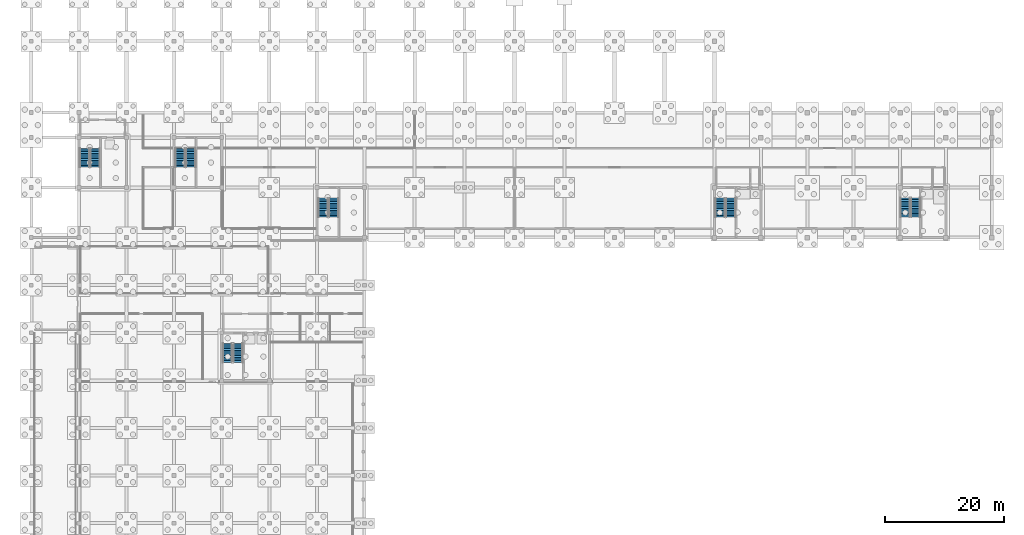
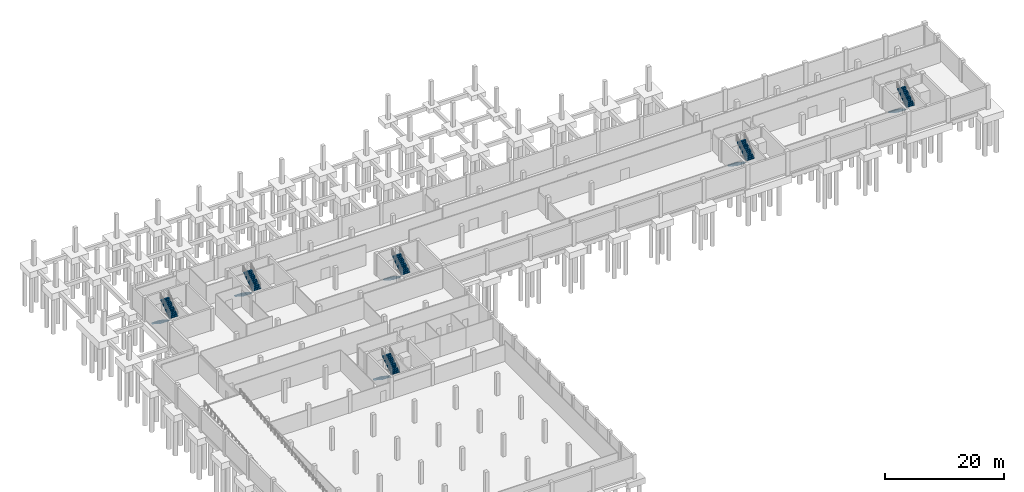
# One storey, part 15 of 22: 12 stair flights, 6 elements without a shape of their own.
"""IFC4 building model written with IfcOpenShell, lengths in metres."""

from ifc_helpers import new_model, si_unit, direction, frame, origin, place, context, subcontext, project, spatial, polyline, outline, extrude, material, type_object, element, aggregate, save


model = new_model("IFC4")

# Units and contexts
model_context = context("Model", 3, precision=1e-05, world=origin(), true_north=direction((0.0, 1.0)))
body_context = subcontext(model_context, "Body", "Model", "MODEL_VIEW")
ifc_project = project(units=[si_unit("LENGTHUNIT", "METRE"), si_unit("AREAUNIT", "SQUARE_METRE"), si_unit("VOLUMEUNIT", "CUBIC_METRE"), si_unit("PLANEANGLEUNIT", "RADIAN"), si_unit("MASSUNIT", "GRAM", prefix="KILO")], contexts=[model_context])

# Site, building, storey
site_placement = place(None, origin())
site = spatial("IfcSite", under=ifc_project, at=site_placement, CompositionType="ELEMENT")
building_placement = place(site_placement, origin())
building = spatial("IfcBuilding", under=site, at=building_placement, Name="Vharandega Faculty of Natural Sciences", CompositionType="ELEMENT")
storey_placement = place(building_placement, frame((0.0, 0.0, -4.5)))
storey = spatial("IfcBuildingStorey", under=building, at=storey_placement, Name="B01", CompositionType="ELEMENT", Elevation=-4.5)

# Stair, stair flights
ifc_material_1 = material(Name="Concrete C40/50", Category="concrete")
stair_type_1 = type_object("IfcStairType", Name="Escape Dog-Leg Stair W160 H450", PredefinedType="HALF_TURN_STAIR", material=ifc_material_1)
stair_1_placement = place(storey_placement, origin())
stair_1 = element("IfcStair", 1, at=stair_1_placement, inside=storey, type_object=stair_type_1, Name="B01 Escape Stair ST2", PredefinedType="HALF_TURN_STAIR")
ifc_material_2 = material(Name="Concrete C40/50", Category="concrete")
stair_flight_type_1 = type_object("IfcStairFlightType", Name="Precast Stair Flight W160 H450", PredefinedType="STRAIGHT", material=ifc_material_2)
stair_flight_1_placement = place(storey_placement, frame((146.860107421875, 70.659912109375, 0.0), z_axis=(0.0, 0.0, 1.0), x_axis=(0.0, -1.0, 0.0)))
stair_flight_1 = element("IfcStairFlight", 2, at=stair_flight_1_placement, type_object=stair_flight_type_1, Name="ST2 flight 1", NumberOfRisers=12, NumberOfTreads=11, PredefinedType="STRAIGHT", RiserHeight=0.1875, TreadLength=0.29, context=body_context, shape_type="SweptSolid", body=[
    extrude(outline(polyline([(0.0, 0.0), (0.0, 0.1875), (0.2900390625, 0.1875), (0.2900390625, 0.375), (0.580078125, 0.375), (0.580078125, 0.5625), (0.8701171875, 0.5625), (0.8701171875, 0.75), (1.159912109375, 0.75), (1.159912109375, 0.9375), (1.449951171875, 0.9375), (1.449951171875, 1.125), (1.739990234375, 1.125), (1.739990234375, 1.3125), (2.030029296875, 1.3125), (2.030029296875, 1.5), (2.320068359375, 1.5), (2.320068359375, 1.6875), (2.610107421875, 1.6875), (2.610107421875, 1.875), (2.89990234375, 1.875), (2.89990234375, 2.0625), (3.18994140625, 2.0625), (3.18994140625, 2.25), (3.18994140625, 1.884033203125), (0.276123046875, 0.0), (0.0, 0.0)])), frame((0.0, 0.800048828125, 0.0), z_axis=(0.0, -1.0, 0.0), x_axis=(1.0, 0.0, 0.0)), (0.0, 0.0, 1.0), 1.60009765625),
])
stair_flight_2_placement = place(storey_placement, frame((148.580078125, 67.469970703125, 2.25), z_axis=(0.0, 0.0, 1.0), x_axis=(0.0, 1.0, 0.0)))
stair_flight_2 = element("IfcStairFlight", 3, at=stair_flight_2_placement, type_object=stair_flight_type_1, Name="ST2 flight 2", NumberOfRisers=12, NumberOfTreads=11, PredefinedType="STRAIGHT", RiserHeight=0.1875, TreadLength=0.29, context=body_context, shape_type="SweptSolid", body=[
    extrude(outline(polyline([(0.0, 0.0), (0.0, 0.1875), (0.2900390625, 0.1875), (0.2900390625, 0.375), (0.580078125, 0.375), (0.580078125, 0.5625), (0.8701171875, 0.5625), (0.8701171875, 0.75), (1.159912109375, 0.75), (1.159912109375, 0.9375), (1.449951171875, 0.9375), (1.449951171875, 1.125), (1.739990234375, 1.125), (1.739990234375, 1.3125), (2.030029296875, 1.3125), (2.030029296875, 1.5), (2.320068359375, 1.5), (2.320068359375, 1.6875), (2.610107421875, 1.6875), (2.610107421875, 1.875), (2.89990234375, 1.875), (2.89990234375, 2.0625), (3.18994140625, 2.0625), (3.18994140625, 2.25), (3.18994140625, 1.884033203125), (0.276123046875, 0.0), (0.0, 0.0)])), frame((0.0, 0.800048828125, 0.0), z_axis=(0.0, -1.0, 0.0), x_axis=(1.0, 0.0, 0.0)), (0.0, 0.0, 1.0), 1.60009765625),
])
aggregate(stair_1, [stair_flight_1, stair_flight_2])

ifc_material_3 = material(Name="Concrete C40/50", Category="concrete")
stair_type_2 = type_object("IfcStairType", Name="Escape Dog-Leg Stair W165 H450", PredefinedType="HALF_TURN_STAIR", material=ifc_material_3)
stair_2_placement = place(storey_placement, origin())
stair_2 = element("IfcStair", 4, at=stair_2_placement, inside=storey, type_object=stair_type_2, Name="B01 Escape Stair ST1", PredefinedType="HALF_TURN_STAIR")
ifc_material_4 = material(Name="Concrete C40/50", Category="concrete")
stair_flight_type_2 = type_object("IfcStairFlightType", Name="Precast Stair Flight W165 H450", PredefinedType="STRAIGHT", material=ifc_material_4)
stair_flight_3_placement = place(storey_placement, frame((115.764892578125, 70.610107421875, 0.0), z_axis=(0.0, 0.0, 1.0), x_axis=(0.0, -1.0, 0.0)))
stair_flight_3 = element("IfcStairFlight", 5, at=stair_flight_3_placement, type_object=stair_flight_type_2, Name="ST1 flight 1", NumberOfRisers=12, NumberOfTreads=11, PredefinedType="STRAIGHT", RiserHeight=0.1875, TreadLength=0.29, context=body_context, shape_type="SweptSolid", body=[
    extrude(outline(polyline([(0.0, 0.0), (0.0, 0.1875), (0.2900390625, 0.1875), (0.2900390625, 0.375), (0.580078125, 0.375), (0.580078125, 0.5625), (0.8701171875, 0.5625), (0.8701171875, 0.75), (1.159912109375, 0.75), (1.159912109375, 0.9375), (1.449951171875, 0.9375), (1.449951171875, 1.125), (1.739990234375, 1.125), (1.739990234375, 1.3125), (2.030029296875, 1.3125), (2.030029296875, 1.5), (2.320068359375, 1.5), (2.320068359375, 1.6875), (2.610107421875, 1.6875), (2.610107421875, 1.875), (2.89990234375, 1.875), (2.89990234375, 2.0625), (3.18994140625, 2.0625), (3.18994140625, 2.25), (3.18994140625, 1.884033203125), (0.276123046875, 0.0), (0.0, 0.0)])), frame((0.0, 0.824951171875, 0.0), z_axis=(0.0, -1.0, 0.0), x_axis=(1.0, 0.0, 0.0)), (0.0, 0.0, 1.0), 1.64990234375),
])
stair_flight_4_placement = place(storey_placement, frame((117.534912109375, 67.419921875, 2.25), z_axis=(0.0, 0.0, 1.0), x_axis=(0.0, 1.0, 0.0)))
stair_flight_4 = element("IfcStairFlight", 6, at=stair_flight_4_placement, type_object=stair_flight_type_2, Name="ST1 flight 2", NumberOfRisers=12, NumberOfTreads=11, PredefinedType="STRAIGHT", RiserHeight=0.1875, TreadLength=0.29, context=body_context, shape_type="SweptSolid", body=[
    extrude(outline(polyline([(0.0, 0.0), (0.0, 0.1875), (0.2900390625, 0.1875), (0.2900390625, 0.375), (0.580078125, 0.375), (0.580078125, 0.5625), (0.8701171875, 0.5625), (0.8701171875, 0.75), (1.159912109375, 0.75), (1.159912109375, 0.9375), (1.449951171875, 0.9375), (1.449951171875, 1.125), (1.739990234375, 1.125), (1.739990234375, 1.3125), (2.030029296875, 1.3125), (2.030029296875, 1.5), (2.320068359375, 1.5), (2.320068359375, 1.6875), (2.610107421875, 1.6875), (2.610107421875, 1.875), (2.89990234375, 1.875), (2.89990234375, 2.0625), (3.18994140625, 2.0625), (3.18994140625, 2.25), (3.18994140625, 1.884033203125), (0.276123046875, 0.0), (0.0, 0.0)])), frame((0.0, 0.824951171875, 0.0), z_axis=(0.0, -1.0, 0.0), x_axis=(1.0, 0.0, 0.0)), (0.0, 0.0, 1.0), 1.64990234375),
])
aggregate(stair_2, [stair_flight_3, stair_flight_4])

stair_3_placement = place(storey_placement, origin())
stair_3 = element("IfcStair", 7, at=stair_3_placement, inside=storey, type_object=stair_type_2, Name="B01 Escape Stair ST3", PredefinedType="HALF_TURN_STAIR")
stair_flight_5_placement = place(storey_placement, frame((32.965087890625, 46.2099609375, 0.0), z_axis=(0.0, 0.0, 1.0), x_axis=(0.0, -1.0, 0.0)))
stair_flight_5 = element("IfcStairFlight", 8, at=stair_flight_5_placement, type_object=stair_flight_type_2, Name="ST3 flight 1", NumberOfRisers=12, NumberOfTreads=11, PredefinedType="STRAIGHT", RiserHeight=0.1875, TreadLength=0.29, context=body_context, shape_type="SweptSolid", body=[
    extrude(outline(polyline([(0.0, 0.0), (0.0, 0.1875), (0.2900390625, 0.1875), (0.2900390625, 0.375), (0.580078125, 0.375), (0.580078125, 0.5625), (0.8701171875, 0.5625), (0.8701171875, 0.75), (1.159912109375, 0.75), (1.159912109375, 0.9375), (1.449951171875, 0.9375), (1.449951171875, 1.125), (1.739990234375, 1.125), (1.739990234375, 1.3125), (2.030029296875, 1.3125), (2.030029296875, 1.5), (2.320068359375, 1.5), (2.320068359375, 1.6875), (2.610107421875, 1.6875), (2.610107421875, 1.875), (2.89990234375, 1.875), (2.89990234375, 2.0625), (3.18994140625, 2.0625), (3.18994140625, 2.25), (3.18994140625, 1.884033203125), (0.276123046875, 0.0), (0.0, 0.0)])), frame((0.0, 0.824951171875, 0.0), z_axis=(0.0, -1.0, 0.0), x_axis=(1.0, 0.0, 0.0)), (0.0, 0.0, 1.0), 1.64990234375),
])
stair_flight_6_placement = place(storey_placement, frame((34.735107421875, 43.02001953125, 2.25), z_axis=(0.0, 0.0, 1.0), x_axis=(0.0, 1.0, 0.0)))
stair_flight_6 = element("IfcStairFlight", 9, at=stair_flight_6_placement, type_object=stair_flight_type_2, Name="ST3 flight 2", NumberOfRisers=12, NumberOfTreads=11, PredefinedType="STRAIGHT", RiserHeight=0.1875, TreadLength=0.29, context=body_context, shape_type="SweptSolid", body=[
    extrude(outline(polyline([(0.0, 0.0), (0.0, 0.1875), (0.2900390625, 0.1875), (0.2900390625, 0.375), (0.580078125, 0.375), (0.580078125, 0.5625), (0.8701171875, 0.5625), (0.8701171875, 0.75), (1.159912109375, 0.75), (1.159912109375, 0.9375), (1.449951171875, 0.9375), (1.449951171875, 1.125), (1.739990234375, 1.125), (1.739990234375, 1.3125), (2.030029296875, 1.3125), (2.030029296875, 1.5), (2.320068359375, 1.5), (2.320068359375, 1.6875), (2.610107421875, 1.6875), (2.610107421875, 1.875), (2.89990234375, 1.875), (2.89990234375, 2.0625), (3.18994140625, 2.0625), (3.18994140625, 2.25), (3.18994140625, 1.884033203125), (0.276123046875, 0.0), (0.0, 0.0)])), frame((0.0, 0.824951171875, 0.0), z_axis=(0.0, -1.0, 0.0), x_axis=(1.0, 0.0, 0.0)), (0.0, 0.0, 1.0), 1.64990234375),
])
aggregate(stair_3, [stair_flight_5, stair_flight_6])

stair_4_placement = place(storey_placement, origin())
stair_4 = element("IfcStair", 10, at=stair_4_placement, inside=storey, type_object=stair_type_2, Name="B01 Escape Stair ST4", PredefinedType="HALF_TURN_STAIR")
stair_flight_7_placement = place(storey_placement, frame((8.965087890625, 79.010009765625, 0.0), z_axis=(0.0, 0.0, 1.0), x_axis=(0.0, -1.0, 0.0)))
stair_flight_7 = element("IfcStairFlight", 11, at=stair_flight_7_placement, type_object=stair_flight_type_2, Name="ST4 flight 1", NumberOfRisers=12, NumberOfTreads=11, PredefinedType="STRAIGHT", RiserHeight=0.1875, TreadLength=0.29, context=body_context, shape_type="SweptSolid", body=[
    extrude(outline(polyline([(0.0, 0.0), (0.0, 0.1875), (0.2900390625, 0.1875), (0.2900390625, 0.375), (0.580078125, 0.375), (0.580078125, 0.5625), (0.8701171875, 0.5625), (0.8701171875, 0.75), (1.159912109375, 0.75), (1.159912109375, 0.9375), (1.449951171875, 0.9375), (1.449951171875, 1.125), (1.739990234375, 1.125), (1.739990234375, 1.3125), (2.030029296875, 1.3125), (2.030029296875, 1.5), (2.320068359375, 1.5), (2.320068359375, 1.6875), (2.610107421875, 1.6875), (2.610107421875, 1.875), (2.89990234375, 1.875), (2.89990234375, 2.0625), (3.18994140625, 2.0625), (3.18994140625, 2.25), (3.18994140625, 1.884033203125), (0.276123046875, 0.0), (0.0, 0.0)])), frame((0.0, 0.824951171875, 0.0), z_axis=(0.0, -1.0, 0.0), x_axis=(1.0, 0.0, 0.0)), (0.0, 0.0, 1.0), 1.64990234375),
])
stair_flight_8_placement = place(storey_placement, frame((10.735107421875, 75.820068359375, 2.25), z_axis=(0.0, 0.0, 1.0), x_axis=(0.0, 1.0, 0.0)))
stair_flight_8 = element("IfcStairFlight", 12, at=stair_flight_8_placement, type_object=stair_flight_type_2, Name="ST4 flight 2", NumberOfRisers=12, NumberOfTreads=11, PredefinedType="STRAIGHT", RiserHeight=0.1875, TreadLength=0.29, context=body_context, shape_type="SweptSolid", body=[
    extrude(outline(polyline([(0.0, 0.0), (0.0, 0.1875), (0.2900390625, 0.1875), (0.2900390625, 0.375), (0.580078125, 0.375), (0.580078125, 0.5625), (0.8701171875, 0.5625), (0.8701171875, 0.75), (1.159912109375, 0.75), (1.159912109375, 0.9375), (1.449951171875, 0.9375), (1.449951171875, 1.125), (1.739990234375, 1.125), (1.739990234375, 1.3125), (2.030029296875, 1.3125), (2.030029296875, 1.5), (2.320068359375, 1.5), (2.320068359375, 1.6875), (2.610107421875, 1.6875), (2.610107421875, 1.875), (2.89990234375, 1.875), (2.89990234375, 2.0625), (3.18994140625, 2.0625), (3.18994140625, 2.25), (3.18994140625, 1.884033203125), (0.276123046875, 0.0), (0.0, 0.0)])), frame((0.0, 0.824951171875, 0.0), z_axis=(0.0, -1.0, 0.0), x_axis=(1.0, 0.0, 0.0)), (0.0, 0.0, 1.0), 1.64990234375),
])
aggregate(stair_4, [stair_flight_7, stair_flight_8])

stair_5_placement = place(storey_placement, origin())
stair_5 = element("IfcStair", 13, at=stair_5_placement, inside=storey, type_object=stair_type_2, Name="B01 Escape Stair ST5", PredefinedType="HALF_TURN_STAIR")
stair_flight_9_placement = place(storey_placement, frame((49.02490234375, 70.610107421875, 0.0), z_axis=(0.0, 0.0, 1.0), x_axis=(0.0, -1.0, 0.0)))
stair_flight_9 = element("IfcStairFlight", 14, at=stair_flight_9_placement, type_object=stair_flight_type_2, Name="ST5 flight 1", NumberOfRisers=12, NumberOfTreads=11, PredefinedType="STRAIGHT", RiserHeight=0.1875, TreadLength=0.29, context=body_context, shape_type="SweptSolid", body=[
    extrude(outline(polyline([(0.0, 0.0), (0.0, 0.1875), (0.2900390625, 0.1875), (0.2900390625, 0.375), (0.580078125, 0.375), (0.580078125, 0.5625), (0.8701171875, 0.5625), (0.8701171875, 0.75), (1.159912109375, 0.75), (1.159912109375, 0.9375), (1.449951171875, 0.9375), (1.449951171875, 1.125), (1.739990234375, 1.125), (1.739990234375, 1.3125), (2.030029296875, 1.3125), (2.030029296875, 1.5), (2.320068359375, 1.5), (2.320068359375, 1.6875), (2.610107421875, 1.6875), (2.610107421875, 1.875), (2.89990234375, 1.875), (2.89990234375, 2.0625), (3.18994140625, 2.0625), (3.18994140625, 2.25), (3.18994140625, 1.884033203125), (0.276123046875, 0.0), (0.0, 0.0)])), frame((0.0, 0.824951171875, 0.0), z_axis=(0.0, -1.0, 0.0), x_axis=(1.0, 0.0, 0.0)), (0.0, 0.0, 1.0), 1.64990234375),
])
stair_flight_10_placement = place(storey_placement, frame((50.794921875, 67.419921875, 2.25), z_axis=(0.0, 0.0, 1.0), x_axis=(0.0, 1.0, 0.0)))
stair_flight_10 = element("IfcStairFlight", 15, at=stair_flight_10_placement, type_object=stair_flight_type_2, Name="ST5 flight 2", NumberOfRisers=12, NumberOfTreads=11, PredefinedType="STRAIGHT", RiserHeight=0.1875, TreadLength=0.29, context=body_context, shape_type="SweptSolid", body=[
    extrude(outline(polyline([(0.0, 0.0), (0.0, 0.1875), (0.2900390625, 0.1875), (0.2900390625, 0.375), (0.580078125, 0.375), (0.580078125, 0.5625), (0.8701171875, 0.5625), (0.8701171875, 0.75), (1.159912109375, 0.75), (1.159912109375, 0.9375), (1.449951171875, 0.9375), (1.449951171875, 1.125), (1.739990234375, 1.125), (1.739990234375, 1.3125), (2.030029296875, 1.3125), (2.030029296875, 1.5), (2.320068359375, 1.5), (2.320068359375, 1.6875), (2.610107421875, 1.6875), (2.610107421875, 1.875), (2.89990234375, 1.875), (2.89990234375, 2.0625), (3.18994140625, 2.0625), (3.18994140625, 2.25), (3.18994140625, 1.884033203125), (0.276123046875, 0.0), (0.0, 0.0)])), frame((0.0, 0.824951171875, 0.0), z_axis=(0.0, -1.0, 0.0), x_axis=(1.0, 0.0, 0.0)), (0.0, 0.0, 1.0), 1.64990234375),
])
aggregate(stair_5, [stair_flight_9, stair_flight_10])

stair_6_placement = place(storey_placement, origin())
stair_6 = element("IfcStair", 16, at=stair_6_placement, inside=storey, type_object=stair_type_2, Name="B01 Escape Stair ST6", PredefinedType="HALF_TURN_STAIR")
stair_flight_11_placement = place(storey_placement, frame((25.02490234375, 79.010009765625, 0.0), z_axis=(0.0, 0.0, 1.0), x_axis=(0.0, -1.0, 0.0)))
stair_flight_11 = element("IfcStairFlight", 17, at=stair_flight_11_placement, type_object=stair_flight_type_2, Name="ST6 flight 1", NumberOfRisers=12, NumberOfTreads=11, PredefinedType="STRAIGHT", RiserHeight=0.1875, TreadLength=0.29, context=body_context, shape_type="SweptSolid", body=[
    extrude(outline(polyline([(0.0, 0.0), (0.0, 0.1875), (0.2900390625, 0.1875), (0.2900390625, 0.375), (0.580078125, 0.375), (0.580078125, 0.5625), (0.8701171875, 0.5625), (0.8701171875, 0.75), (1.159912109375, 0.75), (1.159912109375, 0.9375), (1.449951171875, 0.9375), (1.449951171875, 1.125), (1.739990234375, 1.125), (1.739990234375, 1.3125), (2.030029296875, 1.3125), (2.030029296875, 1.5), (2.320068359375, 1.5), (2.320068359375, 1.6875), (2.610107421875, 1.6875), (2.610107421875, 1.875), (2.89990234375, 1.875), (2.89990234375, 2.0625), (3.18994140625, 2.0625), (3.18994140625, 2.25), (3.18994140625, 1.884033203125), (0.276123046875, 0.0), (0.0, 0.0)])), frame((0.0, 0.824951171875, 0.0), z_axis=(0.0, -1.0, 0.0), x_axis=(1.0, 0.0, 0.0)), (0.0, 0.0, 1.0), 1.64990234375),
])
stair_flight_12_placement = place(storey_placement, frame((26.794921875, 75.820068359375, 2.25), z_axis=(0.0, 0.0, 1.0), x_axis=(0.0, 1.0, 0.0)))
stair_flight_12 = element("IfcStairFlight", 18, at=stair_flight_12_placement, type_object=stair_flight_type_2, Name="ST6 flight 2", NumberOfRisers=12, NumberOfTreads=11, PredefinedType="STRAIGHT", RiserHeight=0.1875, TreadLength=0.29, context=body_context, shape_type="SweptSolid", body=[
    extrude(outline(polyline([(0.0, 0.0), (0.0, 0.1875), (0.2900390625, 0.1875), (0.2900390625, 0.375), (0.580078125, 0.375), (0.580078125, 0.5625), (0.8701171875, 0.5625), (0.8701171875, 0.75), (1.159912109375, 0.75), (1.159912109375, 0.9375), (1.449951171875, 0.9375), (1.449951171875, 1.125), (1.739990234375, 1.125), (1.739990234375, 1.3125), (2.030029296875, 1.3125), (2.030029296875, 1.5), (2.320068359375, 1.5), (2.320068359375, 1.6875), (2.610107421875, 1.6875), (2.610107421875, 1.875), (2.89990234375, 1.875), (2.89990234375, 2.0625), (3.18994140625, 2.0625), (3.18994140625, 2.25), (3.18994140625, 1.884033203125), (0.276123046875, 0.0), (0.0, 0.0)])), frame((0.0, 0.824951171875, 0.0), z_axis=(0.0, -1.0, 0.0), x_axis=(1.0, 0.0, 0.0)), (0.0, 0.0, 1.0), 1.64990234375),
])
aggregate(stair_6, [stair_flight_11, stair_flight_12])

save(model, "model.ifc")
